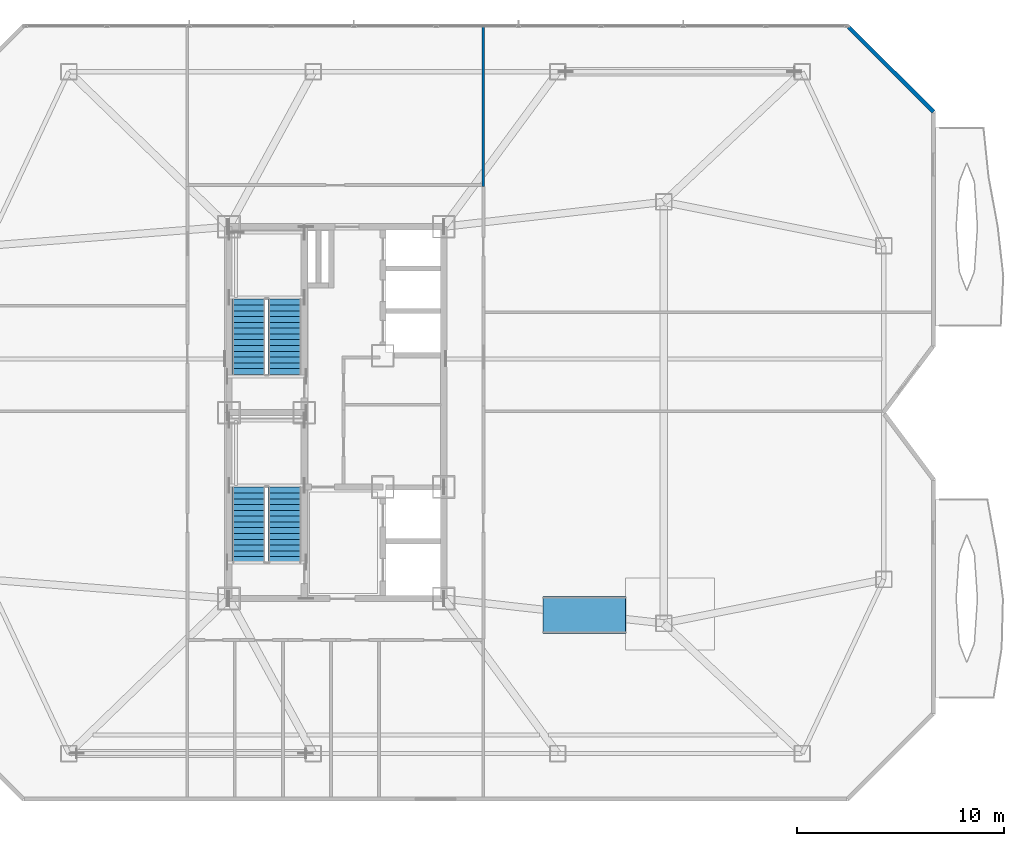
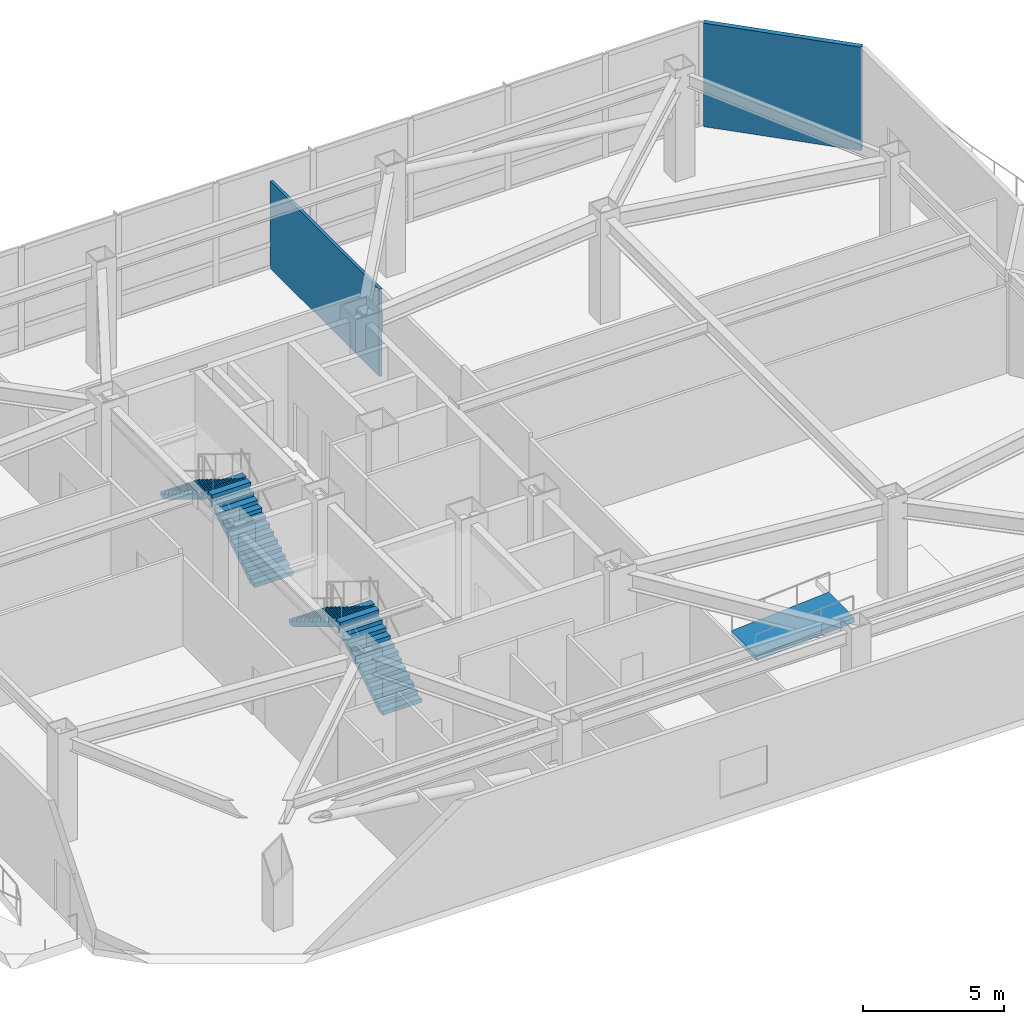
# One storey, part 12 of 16: 4 stair flights, 2 walls, 1 ramp flight, 3 elements without a shape of their own.
"""IFC4 building model written with IfcOpenShell, lengths in metres."""

from ifc_helpers import new_model, si_unit, direction, frame, frame_2d, origin, place, context, subcontext, project, spatial, polyline, rectangle, outline, extrude, material, layer, layer_set, type_object, element, aggregate, save


model = new_model("IFC4")

# Units and contexts
model_context = context("Model", 3, precision=1e-05, world=origin(), true_north=direction((0.0, 1.0)))
body_context = subcontext(model_context, "Body", "Model", "MODEL_VIEW")
ifc_project = project(units=[si_unit("LENGTHUNIT", "METRE"), si_unit("AREAUNIT", "SQUARE_METRE"), si_unit("VOLUMEUNIT", "CUBIC_METRE"), si_unit("PLANEANGLEUNIT", "RADIAN"), si_unit("MASSUNIT", "GRAM", prefix="KILO")], contexts=[model_context])

# Site, building, storey
site_placement = place(None, origin())
site = spatial("IfcSite", under=ifc_project, at=site_placement, CompositionType="ELEMENT")
building_placement = place(site_placement, origin())
building = spatial("IfcBuilding", under=site, at=building_placement, Name="Khamvora Tower", CompositionType="ELEMENT")
storey_placement = place(building_placement, frame((0.0, 0.0, 207.0)))
storey = spatial("IfcBuildingStorey", under=building, at=storey_placement, Name="L53", CompositionType="ELEMENT", Elevation=207.0)

# Walls
ifc_material_1 = material(Name="Precast concrete C40/50", Category="concrete")
ifc_layer_1 = layer(ifc_material_1, 0.199951171875)
ifc_layer_set_1 = layer_set([ifc_layer_1], Name="Precast concrete C40/50")
wall_type_1 = type_object("IfcWallType", Name="WAL-EXT-200", PredefinedType="STANDARD", material=ifc_layer_set_1)
wall_1_placement = place(storey_placement, frame((59.0029296875, 46.656005859375, 0.0), z_axis=(0.0, 0.0, 1.0), x_axis=(0.707127848917, -0.707085712828, 0.0)))
element("IfcWall", 1, at=wall_1_placement, inside=storey, type_object=wall_type_1, Name="L53 exterior facade wall 08.1", PredefinedType="STANDARD", context=body_context, shape_type="SweptSolid", body=[
    extrude(rectangle(XDim=5.794189453125, YDim=0.199951171875, at=frame_2d((2.89697265625, 0.0))), origin(), (0.0, 0.0, 1.0), 4.47998046875),
])
ifc_material_2 = material(Name="Gypsum Plasterboard Partition", Category="gypsum")
ifc_layer_2 = layer(ifc_material_2, 0.1201171875)
ifc_layer_set_2 = layer_set([ifc_layer_2], Name="Gypsum Plasterboard Partition")
wall_type_2 = type_object("IfcWallType", Name="WAL-PART-120", PredefinedType="PARTITIONING", material=ifc_layer_set_2)
wall_2_placement = place(storey_placement, frame((41.31494140625, 38.949951171875, 0.0), z_axis=(0.0, 0.0, 1.0), x_axis=(0.0, 1.0, 0.0)))
element("IfcWall", 2, at=wall_2_placement, inside=storey, type_object=wall_type_2, Name="L53 interior partition wall 024", PredefinedType="PARTITIONING", context=body_context, shape_type="SweptSolid", body=[
    extrude(rectangle(XDim=7.739990234375, YDim=0.1201171875, at=frame_2d((3.8701171875, 0.0))), origin(), (0.0, 0.0, 1.0), 3.77490234375),
])

# Stair, stair flights
ifc_material_3 = material(Name="Concrete C40/50", Category="concrete")
stair_type_1 = type_object("IfcStairType", Name="STR-ST-01", PredefinedType="HALF_TURN_STAIR", material=ifc_material_3)
stair_1_placement = place(storey_placement, origin())
stair_1 = element("IfcStair", 3, at=stair_1_placement, inside=storey, type_object=stair_type_1, Name="L53 South Tower Exit Stair ST-01", PredefinedType="HALF_TURN_STAIR")
stair_flight_type_1 = type_object("IfcStairFlightType", Name="STF-ST-01", PredefinedType="STRAIGHT", material=ifc_material_3)
stair_flight_1_placement = place(storey_placement, frame((31.699951171875, 20.75, 0.0), z_axis=(0.0, 0.0, 1.0), x_axis=(0.0, 1.0, 0.0)))
stair_flight_1 = element("IfcStairFlight", 4, at=stair_flight_1_placement, type_object=stair_flight_type_1, Name="ST-01 flight 1", NumberOfRisers=14, NumberOfTreads=13, PredefinedType="STRAIGHT", RiserHeight=0.171428571, TreadLength=0.28, context=body_context, shape_type="SweptSolid", body=[
    extrude(outline(polyline([(0.0, 0.0), (0.0, 0.17138671875), (0.280029296875, 0.17138671875), (0.280029296875, 0.3427734375), (0.56005859375, 0.3427734375), (0.56005859375, 0.514404296875), (0.840087890625, 0.514404296875), (0.840087890625, 0.685791015625), (1.1201171875, 0.685791015625), (1.1201171875, 0.857177734375), (1.39990234375, 0.857177734375), (1.39990234375, 1.028564453125), (1.679931640625, 1.028564453125), (1.679931640625, 1.199951171875), (1.9599609375, 1.199951171875), (1.9599609375, 1.371337890625), (2.239990234375, 1.371337890625), (2.239990234375, 1.54296875), (2.52001953125, 1.54296875), (2.52001953125, 1.71435546875), (2.800048828125, 1.71435546875), (2.800048828125, 1.8857421875), (3.080078125, 1.8857421875), (3.080078125, 2.05712890625), (3.360107421875, 2.05712890625), (3.360107421875, 2.228515625), (3.639892578125, 2.228515625), (3.639892578125, 2.39990234375), (3.639892578125, 2.052734375), (0.287109375, 0.0), (0.0, 0.0)])), frame((0.0, 0.800048828125, 0.0), z_axis=(0.0, -1.0, 0.0), x_axis=(1.0, 0.0, 0.0)), (0.0, 0.0, 1.0), 1.60009765625),
])
stair_flight_2_placement = place(storey_placement, frame((29.949951171875, 24.389892578125, 2.39990234375), z_axis=(0.0, 0.0, 1.0), x_axis=(0.0, -1.0, 0.0)))
stair_flight_2 = element("IfcStairFlight", 5, at=stair_flight_2_placement, type_object=stair_flight_type_1, Name="ST-01 flight 2", NumberOfRisers=14, NumberOfTreads=13, PredefinedType="STRAIGHT", RiserHeight=0.171428571, TreadLength=0.28, context=body_context, shape_type="SweptSolid", body=[
    extrude(outline(polyline([(0.0, 0.0), (0.0, 0.17138671875), (0.280029296875, 0.17138671875), (0.280029296875, 0.3427734375), (0.56005859375, 0.3427734375), (0.56005859375, 0.514404296875), (0.840087890625, 0.514404296875), (0.840087890625, 0.685791015625), (1.1201171875, 0.685791015625), (1.1201171875, 0.857177734375), (1.39990234375, 0.857177734375), (1.39990234375, 1.028564453125), (1.679931640625, 1.028564453125), (1.679931640625, 1.199951171875), (1.9599609375, 1.199951171875), (1.9599609375, 1.371337890625), (2.239990234375, 1.371337890625), (2.239990234375, 1.54296875), (2.52001953125, 1.54296875), (2.52001953125, 1.71435546875), (2.800048828125, 1.71435546875), (2.800048828125, 1.8857421875), (3.080078125, 1.8857421875), (3.080078125, 2.05712890625), (3.360107421875, 2.05712890625), (3.360107421875, 2.228515625), (3.639892578125, 2.228515625), (3.639892578125, 2.39990234375), (3.639892578125, 2.052734375), (0.287109375, 0.0), (0.0, 0.0)])), frame((0.0, 0.800048828125, 0.0), z_axis=(0.0, -1.0, 0.0), x_axis=(1.0, 0.0, 0.0)), (0.0, 0.0, 1.0), 1.60009765625),
])
aggregate(stair_1, [stair_flight_1, stair_flight_2])

stair_type_2 = type_object("IfcStairType", Name="STR-ST-02", PredefinedType="HALF_TURN_STAIR", material=ifc_material_3)
stair_2_placement = place(storey_placement, origin())
stair_2 = element("IfcStair", 6, at=stair_2_placement, inside=storey, type_object=stair_type_2, Name="L53 North Tower Exit Stair ST-02", PredefinedType="HALF_TURN_STAIR")
stair_flight_type_2 = type_object("IfcStairFlightType", Name="STF-ST-02", PredefinedType="STRAIGHT", material=ifc_material_3)
stair_flight_3_placement = place(storey_placement, frame((31.699951171875, 29.85009765625, 0.0), z_axis=(0.0, 0.0, 1.0), x_axis=(0.0, 1.0, 0.0)))
stair_flight_3 = element("IfcStairFlight", 7, at=stair_flight_3_placement, type_object=stair_flight_type_2, Name="ST-02 flight 1", NumberOfRisers=14, NumberOfTreads=13, PredefinedType="STRAIGHT", RiserHeight=0.171428571, TreadLength=0.28, context=body_context, shape_type="SweptSolid", body=[
    extrude(outline(polyline([(0.0, 0.0), (0.0, 0.17138671875), (0.280029296875, 0.17138671875), (0.280029296875, 0.3427734375), (0.56005859375, 0.3427734375), (0.56005859375, 0.514404296875), (0.840087890625, 0.514404296875), (0.840087890625, 0.685791015625), (1.1201171875, 0.685791015625), (1.1201171875, 0.857177734375), (1.39990234375, 0.857177734375), (1.39990234375, 1.028564453125), (1.679931640625, 1.028564453125), (1.679931640625, 1.199951171875), (1.9599609375, 1.199951171875), (1.9599609375, 1.371337890625), (2.239990234375, 1.371337890625), (2.239990234375, 1.54296875), (2.52001953125, 1.54296875), (2.52001953125, 1.71435546875), (2.800048828125, 1.71435546875), (2.800048828125, 1.8857421875), (3.080078125, 1.8857421875), (3.080078125, 2.05712890625), (3.360107421875, 2.05712890625), (3.360107421875, 2.228515625), (3.639892578125, 2.228515625), (3.639892578125, 2.39990234375), (3.639892578125, 2.052734375), (0.287109375, 0.0), (0.0, 0.0)])), frame((0.0, 0.800048828125, 0.0), z_axis=(0.0, -1.0, 0.0), x_axis=(1.0, 0.0, 0.0)), (0.0, 0.0, 1.0), 1.60009765625),
])
stair_flight_4_placement = place(storey_placement, frame((29.949951171875, 33.489990234375, 2.39990234375), z_axis=(0.0, 0.0, 1.0), x_axis=(0.0, -1.0, 0.0)))
stair_flight_4 = element("IfcStairFlight", 8, at=stair_flight_4_placement, type_object=stair_flight_type_2, Name="ST-02 flight 2", NumberOfRisers=14, NumberOfTreads=13, PredefinedType="STRAIGHT", RiserHeight=0.171428571, TreadLength=0.28, context=body_context, shape_type="SweptSolid", body=[
    extrude(outline(polyline([(0.0, 0.0), (0.0, 0.17138671875), (0.280029296875, 0.17138671875), (0.280029296875, 0.3427734375), (0.56005859375, 0.3427734375), (0.56005859375, 0.514404296875), (0.840087890625, 0.514404296875), (0.840087890625, 0.685791015625), (1.1201171875, 0.685791015625), (1.1201171875, 0.857177734375), (1.39990234375, 0.857177734375), (1.39990234375, 1.028564453125), (1.679931640625, 1.028564453125), (1.679931640625, 1.199951171875), (1.9599609375, 1.199951171875), (1.9599609375, 1.371337890625), (2.239990234375, 1.371337890625), (2.239990234375, 1.54296875), (2.52001953125, 1.54296875), (2.52001953125, 1.71435546875), (2.800048828125, 1.71435546875), (2.800048828125, 1.8857421875), (3.080078125, 1.8857421875), (3.080078125, 2.05712890625), (3.360107421875, 2.05712890625), (3.360107421875, 2.228515625), (3.639892578125, 2.228515625), (3.639892578125, 2.39990234375), (3.639892578125, 2.052734375), (0.287109375, 0.0), (0.0, 0.0)])), frame((0.0, 0.800048828125, 0.0), z_axis=(0.0, -1.0, 0.0), x_axis=(1.0, 0.0, 0.0)), (0.0, 0.0, 1.0), 1.60009765625),
])
aggregate(stair_2, [stair_flight_3, stair_flight_4])

# Ramp, ramp flight
ramp_type = type_object("IfcRampType", Name="RMP-ACC-1800", PredefinedType="STRAIGHT_RUN_RAMP", material=ifc_material_3)
ramp_placement = place(storey_placement, origin())
ramp = element("IfcRamp", 9, at=ramp_placement, inside=storey, type_object=ramp_type, Name="L53 Sky-Garden Accessible Planter Deck Ramp RMP-03", PredefinedType="STRAIGHT_RUN_RAMP")
ifc_layer_3 = layer(ifc_material_3, 0.219970703125)
ifc_layer_set_3 = layer_set([ifc_layer_3], Name="Concrete C40/50")
ramp_flight_type = type_object("IfcRampFlightType", Name="RMF-ACC-1800", PredefinedType="STRAIGHT", material=ifc_layer_set_3)
ramp_flight_placement = place(storey_placement, frame((44.199951171875, 17.300048828125, 0.0), z_axis=(-0.069836398408, 0.0, 0.997558458165), x_axis=(0.997558458165, 0.0, 0.069836398408)))
ramp_flight = element("IfcRampFlight", 10, at=ramp_flight_placement, type_object=ramp_flight_type, Name="L53 Sky-Garden Accessible Planter Deck Ramp RMP-03 flight", PredefinedType="STRAIGHT", context=body_context, shape_type="SweptSolid", body=[
    extrude(outline(polyline([(0.0, 0.0), (4.009790070204213, 0.0), (4.009790070204213, 1.8000488281250004), (0.0, 1.8000488281250004), (0.0, 0.0)])), origin(), (0.0, 0.0, -1.0), 0.219970703125),
])
aggregate(ramp, [ramp_flight])

save(model, "model.ifc")
